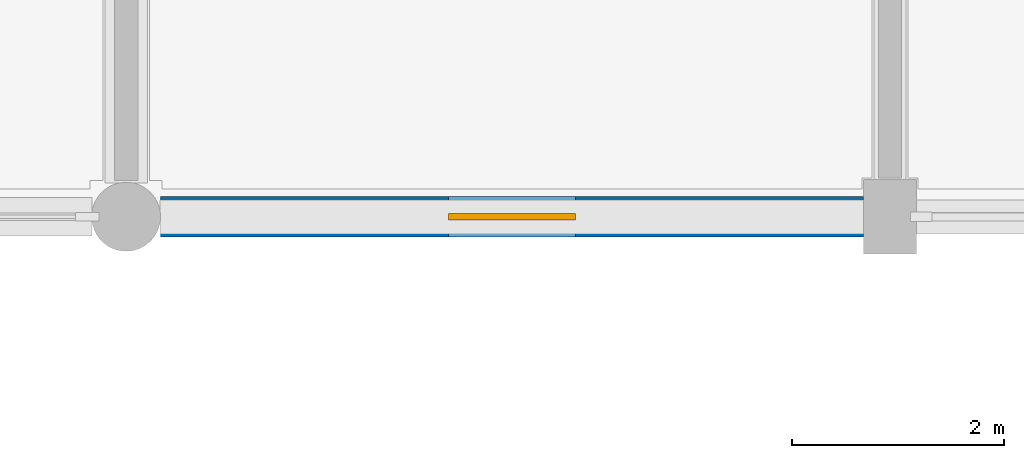
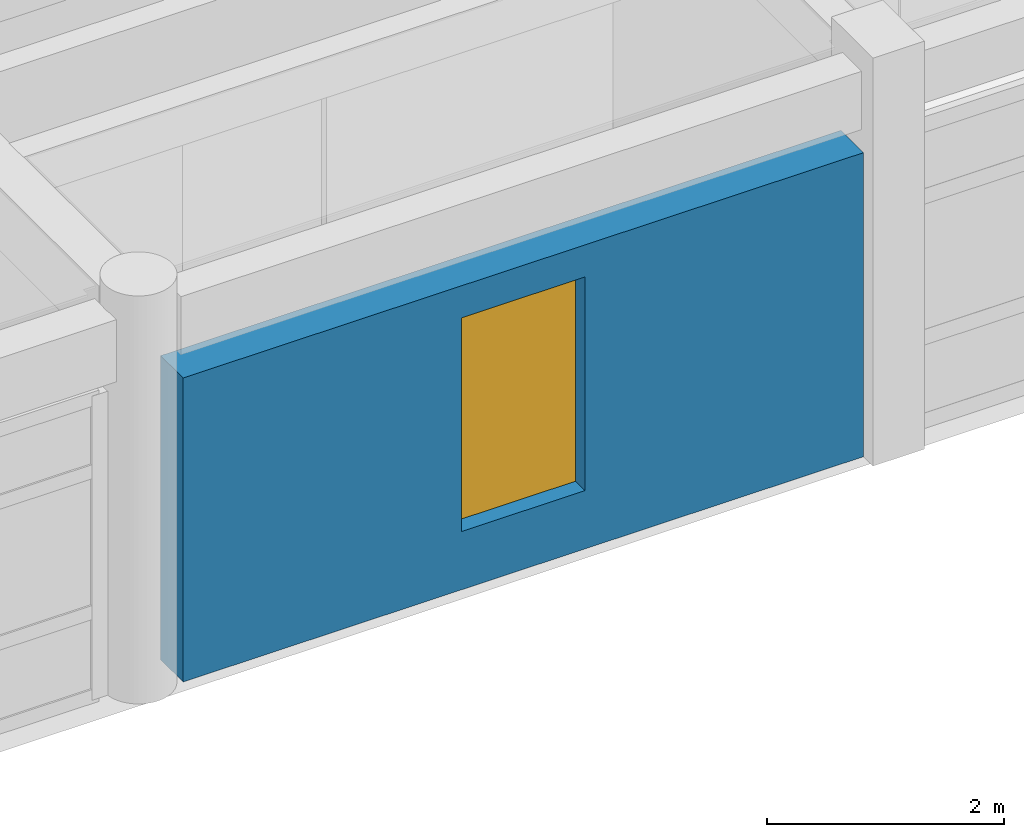
# One storey, part 71 of 100: 1 wall, 1 window, 1 opening.
"""IFC4 building model written with IfcOpenShell, lengths in metres."""

from ifc_helpers import new_model, si_unit, direction, frame, frame_2d, origin, place, context, subcontext, project, spatial, rectangle, extrude, material, layer, layer_set, type_object, element, fill, save


model = new_model("IFC4")

# Units and contexts
model_context = context("Model", 3, precision=1e-05, world=origin(), true_north=direction((0.0, 1.0)))
body_context = subcontext(model_context, "Body", "Model", "MODEL_VIEW")
ifc_project = project(units=[si_unit("LENGTHUNIT", "METRE"), si_unit("AREAUNIT", "SQUARE_METRE"), si_unit("VOLUMEUNIT", "CUBIC_METRE"), si_unit("PLANEANGLEUNIT", "RADIAN"), si_unit("MASSUNIT", "GRAM", prefix="KILO")], contexts=[model_context])

# Site, building, storey
site_placement = place(None, origin())
site = spatial("IfcSite", under=ifc_project, at=site_placement, CompositionType="ELEMENT")
building_placement = place(site_placement, origin())
building = spatial("IfcBuilding", under=site, at=building_placement, Name="Steenspoor Specialist Clinic", CompositionType="ELEMENT")
storey_placement = place(building_placement, frame((0.0, 0.0, 9.0)))
storey = spatial("IfcBuildingStorey", under=building, at=storey_placement, Name="L02", CompositionType="ELEMENT", Elevation=9.0)

# Wall, opening, window
ifc_material_1 = material(Name="Extruded clay brick masonry", Category="masonry")
ifc_layer = layer(ifc_material_1, 0.3798828125)
ifc_layer_set = layer_set([ifc_layer], Name="Extruded clay brick masonry")
wall_type = type_object("IfcWallType", Name="W-BRICK-380", PredefinedType="USERDEFINED", material=ifc_layer_set)
wall_placement = place(storey_placement, frame((132.14990234375, 65.14990234375, 0.0), z_axis=(0.0, 0.0, 1.0), x_axis=(-1.0, 0.0, 0.0)))
wall = element("IfcWall", 1, at=wall_placement, inside=storey, type_object=wall_type, Name="Exterior Brick Wall EW-V6-L02-0328", ObjectType="CAVITY VENEER", PredefinedType="USERDEFINED", context=body_context, shape_type="SweptSolid", body=[
    extrude(rectangle(XDim=6.625, YDim=0.3798828125, at=frame_2d((3.3125, 0.0))), origin(), (0.0, 0.0, 1.0), 3.1298828125),
])
opening_placement = place(wall_placement, frame((2.71240234375, 0.0, 0.60009765625)))
opening = element("IfcOpeningElement", 2, at=opening_placement, cuts=wall, Name="Opening WN-15", PredefinedType="OPENING", context=body_context, shape_type="SweptSolid", body=[
    extrude(rectangle(XDim=1.199951171875, YDim=2.199951171875, at=frame_2d((0.60009765625, 1.10009765625))), frame((0.0, 0.199951171875, 0.0), z_axis=(0.0, -1.0, 0.0), x_axis=(1.0, 0.0, 0.0)), (0.0, 0.0, 1.0), 0.39990234375),
])
ifc_material_2 = material(Name="Thermally broken aluminium and low-emissivity glass", Category="aluminium")
window_type = type_object("IfcWindowType", Name="WN-EXT-120X220", PartitioningType="SINGLE_PANEL", PredefinedType="WINDOW", material=ifc_material_2)
window_placement = place(opening_placement, origin())
window = element("IfcWindow", 3, at=window_placement, inside=storey, type_object=window_type, Name="Window 0349", OverallHeight=2.199951171875, OverallWidth=1.199951171875, PartitioningType="SINGLE_PANEL", PredefinedType="WINDOW", context=body_context, shape_type="SweptSolid", body=[
    extrude(rectangle(XDim=1.199951171875, YDim=2.199951171875, at=frame_2d((0.60009765625, 1.10009765625))), frame((0.0, 0.030029296875, 0.0), z_axis=(0.0, -1.0, 0.0), x_axis=(1.0, 0.0, 0.0)), (0.0, 0.0, 1.0), 0.06005859375),
])
fill(opening, window)

save(model, "model.ifc")
